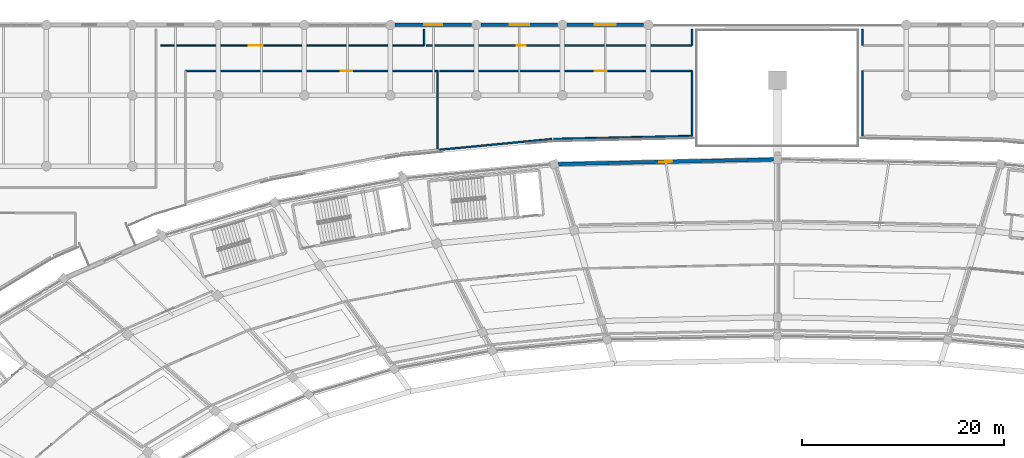
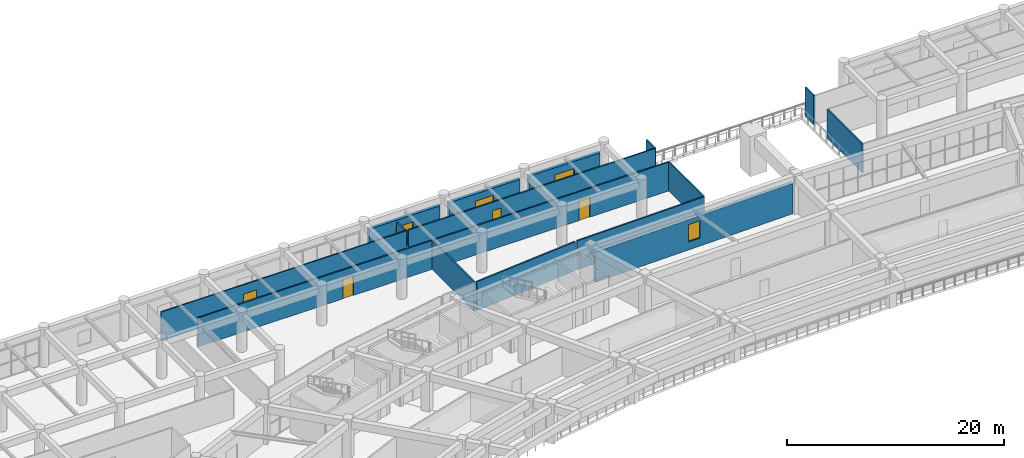
# One storey, part 110 of 145: 16 walls, 4 doors, 4 windows, 8 openings.
"""IFC4 building model written with IfcOpenShell, lengths in metres."""

from ifc_helpers import new_model, si_unit, direction, frame, frame_2d, origin, place, context, subcontext, project, spatial, rectangle, extrude, material, layer, layer_set, type_object, element, fill, save


model = new_model("IFC4")

# Units and contexts
model_context = context("Model", 3, precision=1e-05, world=origin(), true_north=direction((0.0, 1.0)))
body_context = subcontext(model_context, "Body", "Model", "MODEL_VIEW")
ifc_project = project(units=[si_unit("LENGTHUNIT", "METRE"), si_unit("AREAUNIT", "SQUARE_METRE"), si_unit("VOLUMEUNIT", "CUBIC_METRE"), si_unit("PLANEANGLEUNIT", "RADIAN"), si_unit("MASSUNIT", "GRAM", prefix="KILO")], contexts=[model_context])

# Site, building, storey
site_placement = place(None, origin())
site = spatial("IfcSite", under=ifc_project, at=site_placement, CompositionType="ELEMENT")
building_placement = place(site_placement, origin())
building = spatial("IfcBuilding", under=site, at=building_placement, Name="Mphavela Belvedere Stadium", CompositionType="ELEMENT")
storey_placement = place(building_placement, frame((0.0, 0.0, 10.199951171875)))
storey = spatial("IfcBuildingStorey", under=building, at=storey_placement, Name="L02", CompositionType="ELEMENT", Elevation=10.199951171875)

# Wall, opening, window
ifc_material_1 = material(Name="Honed ashlar limestone masonry", Category="masonry")
ifc_layer_1 = layer(ifc_material_1, 0.35009765625)
ifc_layer_set_1 = layer_set([ifc_layer_1], Name="Honed ashlar limestone masonry")
wall_type_1 = type_object("IfcWallType", Name="WAL-EXT-ASHLAR-350", PredefinedType="STANDARD", material=ifc_layer_set_1)
wall_1_placement = place(storey_placement, frame((114.60205078125, 160.661376953125, 0.0), z_axis=(0.0, 0.0, 1.0), x_axis=(-0.999768320606, -0.021524523519, 0.0)))
wall_1 = element("IfcWall", 1, at=wall_1_placement, inside=storey, type_object=wall_type_1, Name="Classical ashlar facade wall L02-13", PredefinedType="STANDARD", context=body_context, shape_type="SweptSolid", body=[
    extrude(rectangle(XDim=21.32373046875, YDim=0.35009765625, at=frame_2d((10.661865234375, 0.0))), origin(), (0.0, 0.0, 1.0), 3.420166015625),
])
opening_1_placement = place(wall_1_placement, frame((10.0419921875, 0.0, 0.89990234375)))
opening_1 = element("IfcOpeningElement", 2, at=opening_1_placement, cuts=wall_1, Name="Opening W-024", PredefinedType="OPENING", context=body_context, shape_type="SweptSolid", body=[
    extrude(rectangle(XDim=1.239990234375, YDim=1.949951171875, at=frame_2d((0.6201171875, 0.97509765625))), frame((0.0, 0.18505859375, 0.0), z_axis=(0.0, -1.0, 0.0), x_axis=(1.0, 0.0, 0.0)), (0.0, 0.0, 1.0), 0.3701171875),
])
ifc_material_2 = material(Name="Bronze-anodised thermally broken aluminium window", Category="aluminium")
window_type_1 = type_object("IfcWindowType", Name="WIN-EXT-24", PartitioningType="SINGLE_PANEL", PredefinedType="WINDOW", material=ifc_material_2)
window_1_placement = place(opening_1_placement, origin())
window_1 = element("IfcWindow", 3, at=window_1_placement, inside=storey, type_object=window_type_1, Name="Belvedere gallery window W-024", OverallHeight=1.949951171875, OverallWidth=1.239990234375, PartitioningType="SINGLE_PANEL", PredefinedType="WINDOW", context=body_context, shape_type="SweptSolid", body=[
    extrude(rectangle(XDim=1.239990234375, YDim=1.949951171875, at=frame_2d((0.6201171875, 0.97509765625))), frame((0.0, 0.030029296875, 0.0), z_axis=(0.0, -1.0, 0.0), x_axis=(1.0, 0.0, 0.0)), (0.0, 0.0, 1.0), 0.06005859375),
])
fill(opening_1, window_1)

wall_2_placement = place(storey_placement, frame((77.139892578125, 174.0, 0.0), z_axis=(0.0, 0.0, 1.0), x_axis=(1.0, 0.0, 0.0)))
wall_2 = element("IfcWall", 4, at=wall_2_placement, inside=storey, type_object=wall_type_1, Name="North Mast and Ceremonial End Forecourt outer facade bay L02-10", PredefinedType="STANDARD", context=body_context, shape_type="SweptSolid", body=[
    extrude(rectangle(XDim=7.572021484375, YDim=0.35009765625, at=frame_2d((3.7861328125, 0.0))), origin(), (0.0, 0.0, 1.0), 3.260009765625),
])
opening_2_placement = place(wall_2_placement, frame((2.885986328125, 0.0, 0.89990234375)))
opening_2 = element("IfcOpeningElement", 5, at=opening_2_placement, cuts=wall_2, Name="Opening W-182", PredefinedType="OPENING", context=body_context, shape_type="SweptSolid", body=[
    extrude(rectangle(XDim=1.800048828125, YDim=1.550048828125, at=frame_2d((0.89990234375, 0.77490234375))), frame((0.0, 0.18505859375, 0.0), z_axis=(0.0, -1.0, 0.0), x_axis=(1.0, 0.0, 0.0)), (0.0, 0.0, 1.0), 0.3701171875),
])
ifc_material_3 = material(Name="Bronze-anodised thermally broken aluminium window", Category="aluminium")
window_type_2 = type_object("IfcWindowType", Name="WIN-EXT-06", PartitioningType="SINGLE_PANEL", PredefinedType="WINDOW", material=ifc_material_3)
window_2_placement = place(opening_2_placement, origin())
window_2 = element("IfcWindow", 6, at=window_2_placement, inside=storey, type_object=window_type_2, Name="North Mast and Ceremonial End Forecourt classical window W-182", OverallHeight=1.550048828125, OverallWidth=1.800048828125, PartitioningType="SINGLE_PANEL", PredefinedType="WINDOW", context=body_context, shape_type="SweptSolid", body=[
    extrude(rectangle(XDim=1.800048828125, YDim=1.550048828125, at=frame_2d((0.89990234375, 0.77490234375))), frame((0.0, 0.030029296875, 0.0), z_axis=(0.0, -1.0, 0.0), x_axis=(1.0, 0.0, 0.0)), (0.0, 0.0, 1.0), 0.06005859375),
])
fill(opening_2, window_2)

wall_3_placement = place(storey_placement, frame((85.657958984375, 174.0, 0.0), z_axis=(0.0, 0.0, 1.0), x_axis=(1.0, 0.0, 0.0)))
wall_3 = element("IfcWall", 7, at=wall_3_placement, inside=storey, type_object=wall_type_1, Name="North Mast and Ceremonial End Forecourt outer facade bay L02-11", PredefinedType="STANDARD", context=body_context, shape_type="SweptSolid", body=[
    extrude(rectangle(XDim=7.572998046875, YDim=0.35009765625, at=frame_2d((3.78662109375, 0.0))), origin(), (0.0, 0.0, 1.0), 3.260009765625),
])
opening_3_placement = place(wall_3_placement, frame((2.81640625, 0.0, 0.89990234375)))
opening_3 = element("IfcOpeningElement", 8, at=opening_3_placement, cuts=wall_3, Name="Opening W-183", PredefinedType="OPENING", context=body_context, shape_type="SweptSolid", body=[
    extrude(rectangle(XDim=1.93994140625, YDim=1.550048828125, at=frame_2d((0.969970703125, 0.77490234375))), frame((0.0, 0.18505859375, 0.0), z_axis=(0.0, -1.0, 0.0), x_axis=(1.0, 0.0, 0.0)), (0.0, 0.0, 1.0), 0.3701171875),
])
ifc_material_4 = material(Name="Bronze-anodised thermally broken aluminium window", Category="aluminium")
window_type_3 = type_object("IfcWindowType", Name="WIN-EXT-07", PartitioningType="SINGLE_PANEL", PredefinedType="WINDOW", material=ifc_material_4)
window_3_placement = place(opening_3_placement, origin())
window_3 = element("IfcWindow", 9, at=window_3_placement, inside=storey, type_object=window_type_3, Name="North Mast and Ceremonial End Forecourt classical window W-183", OverallHeight=1.550048828125, OverallWidth=1.93994140625, PartitioningType="SINGLE_PANEL", PredefinedType="WINDOW", context=body_context, shape_type="SweptSolid", body=[
    extrude(rectangle(XDim=1.93994140625, YDim=1.550048828125, at=frame_2d((0.969970703125, 0.77490234375))), frame((0.0, 0.030029296875, 0.0), z_axis=(0.0, -1.0, 0.0), x_axis=(1.0, 0.0, 0.0)), (0.0, 0.0, 1.0), 0.06005859375),
])
fill(opening_3, window_3)

wall_4_placement = place(storey_placement, frame((94.177001953125, 174.0, 0.0), z_axis=(0.0, 0.0, 1.0), x_axis=(1.0, 0.0, 0.0)))
wall_4 = element("IfcWall", 10, at=wall_4_placement, inside=storey, type_object=wall_type_1, Name="North Mast and Ceremonial End Forecourt outer facade bay L02-12", PredefinedType="STANDARD", context=body_context, shape_type="SweptSolid", body=[
    extrude(rectangle(XDim=7.572021484375, YDim=0.35009765625, at=frame_2d((3.7861328125, 0.0))), origin(), (0.0, 0.0, 1.0), 3.260009765625),
])
opening_4_placement = place(wall_4_placement, frame((2.74609375, 0.0, 0.89990234375)))
opening_4 = element("IfcOpeningElement", 11, at=opening_4_placement, cuts=wall_4, Name="Opening W-184", PredefinedType="OPENING", context=body_context, shape_type="SweptSolid", body=[
    extrude(rectangle(XDim=2.080078125, YDim=1.550048828125, at=frame_2d((1.0400390625, 0.77490234375))), frame((0.0, 0.18505859375, 0.0), z_axis=(0.0, -1.0, 0.0), x_axis=(1.0, 0.0, 0.0)), (0.0, 0.0, 1.0), 0.3701171875),
])
ifc_material_5 = material(Name="Bronze-anodised thermally broken aluminium window", Category="aluminium")
window_type_4 = type_object("IfcWindowType", Name="WIN-EXT-08", PartitioningType="SINGLE_PANEL", PredefinedType="WINDOW", material=ifc_material_5)
window_4_placement = place(opening_4_placement, origin())
window_4 = element("IfcWindow", 12, at=window_4_placement, inside=storey, type_object=window_type_4, Name="North Mast and Ceremonial End Forecourt classical window W-184", OverallHeight=1.550048828125, OverallWidth=2.080078125, PartitioningType="SINGLE_PANEL", PredefinedType="WINDOW", context=body_context, shape_type="SweptSolid", body=[
    extrude(rectangle(XDim=2.080078125, YDim=1.550048828125, at=frame_2d((1.0400390625, 0.77490234375))), frame((0.0, 0.030029296875, 0.0), z_axis=(0.0, -1.0, 0.0), x_axis=(1.0, 0.0, 0.0)), (0.0, 0.0, 1.0), 0.06005859375),
])
fill(opening_4, window_4)

# Wall, opening, door
ifc_material_6 = material(Name="Moisture-resistant sanitary partition assembly")
ifc_layer_2 = layer(ifc_material_6, 0.125)
ifc_layer_set_2 = layer_set([ifc_layer_2], Name="Moisture-resistant sanitary partition assembly")
wall_type_2 = type_object("IfcWallType", Name="WAL-PART-125", PredefinedType="PARTITIONING", material=ifc_layer_set_2)
wall_5_placement = place(storey_placement, frame((80.0, 171.9599609375, 0.0), z_axis=(0.0, 0.0, 1.0), x_axis=(-1.0, 0.0, 0.0)))
wall_5 = element("IfcWall", 13, at=wall_5_placement, inside=storey, type_object=wall_type_2, Name="Room L02-176 corridor partition", PredefinedType="PARTITIONING", context=body_context, shape_type="SweptSolid", body=[
    extrude(rectangle(XDim=26.10009765625, YDim=0.125, at=frame_2d((13.050048828125, 0.0))), origin(), (0.0, 0.0, 1.0), 3.25),
])
opening_5_placement = place(wall_5_placement, frame((15.958984375, 0.0, 0.0)))
opening_5 = element("IfcOpeningElement", 14, at=opening_5_placement, cuts=wall_5, Name="Opening ID-456", PredefinedType="OPENING", context=body_context, shape_type="SweptSolid", body=[
    extrude(rectangle(XDim=1.39990234375, YDim=2.199951171875, at=frame_2d((0.699951171875, 1.10009765625))), frame((0.0, 0.072509765625, 0.0), z_axis=(0.0, -1.0, 0.0), x_axis=(1.0, 0.0, 0.0)), (0.0, 0.0, 1.0), 0.14501953125),
])
ifc_material_7 = material(Name="Hardwood acoustic timber doorset", Category="wood")
door_type_1 = type_object("IfcDoorType", Name="DR-INT-24", OperationType="NOTDEFINED", PredefinedType="DOOR", material=ifc_material_7)
door_1_placement = place(opening_5_placement, origin())
door_1 = element("IfcDoor", 15, at=door_1_placement, inside=storey, type_object=door_type_1, Name="Room L02-176 entrance door ID-456", OperationType="SINGLE_SWING_RIGHT", OverallHeight=2.199951171875, OverallWidth=1.39990234375, PredefinedType="DOOR", context=body_context, shape_type="SweptSolid", body=[
    extrude(rectangle(XDim=1.39990234375, YDim=2.199951171875, at=frame_2d((0.699951171875, 1.10009765625))), frame((0.0, 0.02490234375, 0.0), z_axis=(0.0, -1.0, 0.0), x_axis=(1.0, 0.0, 0.0)), (0.0, 0.0, 1.0), 0.050048828125),
])
fill(opening_5, door_1)

ifc_material_8 = material(Name="Acoustic gypsum stud partition assembly")
ifc_layer_3 = layer(ifc_material_8, 0.14990234375)
ifc_layer_set_3 = layer_set([ifc_layer_3], Name="Acoustic gypsum stud partition assembly")
wall_type_3 = type_object("IfcWallType", Name="WAL-PART-150", PredefinedType="PARTITIONING", material=ifc_layer_set_3)
wall_6_placement = place(storey_placement, frame((106.5, 171.9599609375, 0.0), z_axis=(0.0, 0.0, 1.0), x_axis=(-1.0, 0.0, 0.0)))
wall_6 = element("IfcWall", 16, at=wall_6_placement, inside=storey, type_object=wall_type_3, Name="Room L02-177 corridor partition", PredefinedType="PARTITIONING", context=body_context, shape_type="SweptSolid", body=[
    extrude(rectangle(XDim=26.300048828125, YDim=0.14990234375, at=frame_2d((13.14990234375, 0.0))), origin(), (0.0, 0.0, 1.0), 3.25),
])
opening_6_placement = place(wall_6_placement, frame((16.4140625, 0.0, 0.0)))
opening_6 = element("IfcOpeningElement", 17, at=opening_6_placement, cuts=wall_6, Name="Opening ID-457", PredefinedType="OPENING", context=body_context, shape_type="SweptSolid", body=[
    extrude(rectangle(XDim=0.89990234375, YDim=2.300048828125, at=frame_2d((0.449951171875, 1.14990234375))), frame((0.0, 0.0849609375, 0.0), z_axis=(0.0, -1.0, 0.0), x_axis=(1.0, 0.0, 0.0)), (0.0, 0.0, 1.0), 0.169921875),
])
ifc_material_9 = material(Name="Hardwood acoustic timber doorset", Category="wood")
door_type_2 = type_object("IfcDoorType", Name="DR-INT-25", OperationType="NOTDEFINED", PredefinedType="DOOR", material=ifc_material_9)
door_2_placement = place(opening_6_placement, origin())
door_2 = element("IfcDoor", 18, at=door_2_placement, inside=storey, type_object=door_type_2, Name="Room L02-177 entrance door ID-457", OperationType="SINGLE_SWING_LEFT", OverallHeight=2.300048828125, OverallWidth=0.89990234375, PredefinedType="DOOR", context=body_context, shape_type="SweptSolid", body=[
    extrude(rectangle(XDim=0.89990234375, YDim=2.300048828125, at=frame_2d((0.449951171875, 1.14990234375))), frame((0.0, 0.02490234375, 0.0), z_axis=(0.0, -1.0, 0.0), x_axis=(1.0, 0.0, 0.0)), (0.0, 0.0, 1.0), 0.050048828125),
])
fill(opening_6, door_2)

wall_7_placement = place(storey_placement, frame((56.360107421875, 169.43994140625, 0.0), z_axis=(0.0, 0.0, 1.0), x_axis=(1.0, 0.0, 0.0)))
wall_7 = element("IfcWall", 19, at=wall_7_placement, inside=storey, type_object=wall_type_3, Name="Room L02-183 corridor partition", PredefinedType="PARTITIONING", context=body_context, shape_type="SweptSolid", body=[
    extrude(rectangle(XDim=24.994873046875, YDim=0.14990234375, at=frame_2d((12.49755859375, 0.0))), origin(), (0.0, 0.0, 1.0), 3.25),
])
opening_7_placement = place(wall_7_placement, frame((15.409912109375, 0.0, 0.0)))
opening_7 = element("IfcOpeningElement", 20, at=opening_7_placement, cuts=wall_7, Name="Opening ID-463", PredefinedType="OPENING", context=body_context, shape_type="SweptSolid", body=[
    extrude(rectangle(XDim=1.139892578125, YDim=2.300048828125, at=frame_2d((0.56982421875, 1.14990234375))), frame((0.0, 0.0849609375, 0.0), z_axis=(0.0, -1.0, 0.0), x_axis=(1.0, 0.0, 0.0)), (0.0, 0.0, 1.0), 0.169921875),
])
ifc_material_10 = material(Name="Hardwood acoustic timber doorset", Category="wood")
door_type_3 = type_object("IfcDoorType", Name="DR-INT-31", OperationType="NOTDEFINED", PredefinedType="DOOR", material=ifc_material_10)
door_3_placement = place(opening_7_placement, origin())
door_3 = element("IfcDoor", 21, at=door_3_placement, inside=storey, type_object=door_type_3, Name="Room L02-183 entrance door ID-463", OperationType="SINGLE_SWING_LEFT", OverallHeight=2.300048828125, OverallWidth=1.139892578125, PredefinedType="DOOR", context=body_context, shape_type="SweptSolid", body=[
    extrude(rectangle(XDim=1.139892578125, YDim=2.300048828125, at=frame_2d((0.56982421875, 1.14990234375))), frame((0.0, 0.02490234375, 0.0), z_axis=(0.0, -1.0, 0.0), x_axis=(1.0, 0.0, 0.0)), (0.0, 0.0, 1.0), 0.050048828125),
])
fill(opening_7, door_3)

wall_8_placement = place(storey_placement, frame((81.554931640625, 169.43994140625, 0.0), z_axis=(0.0, 0.0, 1.0), x_axis=(1.0, 0.0, 0.0)))
wall_8 = element("IfcWall", 22, at=wall_8_placement, inside=storey, type_object=wall_type_3, Name="Room L02-184 corridor partition", PredefinedType="PARTITIONING", context=body_context, shape_type="SweptSolid", body=[
    extrude(rectangle(XDim=24.945068359375, YDim=0.14990234375, at=frame_2d((12.47265625, 0.0))), origin(), (0.0, 0.0, 1.0), 3.25),
])
opening_8_placement = place(wall_8_placement, frame((15.351318359375, 0.0, 0.0)))
opening_8 = element("IfcOpeningElement", 23, at=opening_8_placement, cuts=wall_8, Name="Opening ID-464", PredefinedType="OPENING", context=body_context, shape_type="SweptSolid", body=[
    extrude(rectangle(XDim=1.179931640625, YDim=2.300048828125, at=frame_2d((0.58984375, 1.14990234375))), frame((0.0, 0.0849609375, 0.0), z_axis=(0.0, -1.0, 0.0), x_axis=(1.0, 0.0, 0.0)), (0.0, 0.0, 1.0), 0.169921875),
])
ifc_material_11 = material(Name="Hardwood acoustic timber doorset", Category="wood")
door_type_4 = type_object("IfcDoorType", Name="DR-INT-32", OperationType="NOTDEFINED", PredefinedType="DOOR", material=ifc_material_11)
door_4_placement = place(opening_8_placement, origin())
door_4 = element("IfcDoor", 24, at=door_4_placement, inside=storey, type_object=door_type_4, Name="Room L02-184 entrance door ID-464", OperationType="SINGLE_SWING_RIGHT", OverallHeight=2.300048828125, OverallWidth=1.179931640625, PredefinedType="DOOR", context=body_context, shape_type="SweptSolid", body=[
    extrude(rectangle(XDim=1.179931640625, YDim=2.300048828125, at=frame_2d((0.58984375, 1.14990234375))), frame((0.0, 0.02490234375, 0.0), z_axis=(0.0, -1.0, 0.0), x_axis=(1.0, 0.0, 0.0)), (0.0, 0.0, 1.0), 0.050048828125),
])
fill(opening_8, door_4)

# Walls
wall_9_placement = place(storey_placement, frame((80.0, 173.550048828125, 0.0), z_axis=(0.0, 0.0, 1.0), x_axis=(0.0, -1.0, 0.0)))
element("IfcWall", 25, at=wall_9_placement, inside=storey, type_object=wall_type_3, Name="Room divider partition L02-1003", PredefinedType="PARTITIONING", context=body_context, shape_type="SweptSolid", body=[
    extrude(rectangle(XDim=1.590087890625, YDim=0.14990234375, at=frame_2d((0.794921875, 0.0))), origin(), (0.0, 0.0, 1.0), 3.25),
])
wall_10_placement = place(storey_placement, frame((106.550048828125, 173.550048828125, 0.0), z_axis=(0.0, 0.0, 1.0), x_axis=(-0.002293221305, -0.999997370565, 0.0)))
element("IfcWall", 26, at=wall_10_placement, inside=storey, type_object=wall_type_3, Name="Room divider partition L02-1004", PredefinedType="PARTITIONING", context=body_context, shape_type="SweptSolid", body=[
    extrude(rectangle(XDim=1.596923828125, YDim=0.14990234375, at=frame_2d((0.79833984375, 0.0))), origin(), (0.0, 0.0, 1.0), 3.25),
])
wall_11_placement = place(storey_placement, frame((123.449951171875, 171.951904296875, 0.0), z_axis=(0.0, 0.0, 1.0), x_axis=(0.0, 1.0, 0.0)))
element("IfcWall", 27, at=wall_11_placement, inside=storey, type_object=wall_type_3, Name="Room divider partition L02-1005", PredefinedType="PARTITIONING", context=body_context, shape_type="SweptSolid", body=[
    extrude(rectangle(XDim=1.59814453125, YDim=0.14990234375, at=frame_2d((0.799072265625, 0.0))), origin(), (0.0, 0.0, 1.0), 3.25),
])
wall_12_placement = place(storey_placement, frame((81.35498046875, 169.43994140625, 0.0), z_axis=(0.0, 0.0, 1.0), x_axis=(0.0, -1.0, 0.0)))
element("IfcWall", 28, at=wall_12_placement, inside=storey, type_object=wall_type_3, Name="Room divider partition L02-1023", PredefinedType="PARTITIONING", context=body_context, shape_type="SweptSolid", body=[
    extrude(rectangle(XDim=7.834228515625, YDim=0.14990234375, at=frame_2d((3.9169921875, 0.0))), origin(), (0.0, 0.0, 1.0), 3.25),
])
wall_13_placement = place(storey_placement, frame((92.648193359375, 162.6826171875, 0.0), z_axis=(0.0, 0.0, 1.0), x_axis=(-0.995483944756, -0.094930057059, 0.0)))
element("IfcWall", 29, at=wall_13_placement, inside=storey, type_object=wall_type_3, Name="Room divider partition L02-1025", PredefinedType="PARTITIONING", context=body_context, shape_type="SweptSolid", body=[
    extrude(rectangle(XDim=11.1435546875, YDim=0.14990234375, at=frame_2d((5.57177734375, 0.0))), origin(), (0.0, 0.0, 1.0), 3.25),
])
wall_14_placement = place(storey_placement, frame((106.550048828125, 169.4482421875, 0.0), z_axis=(0.0, 0.0, 1.0), x_axis=(0.0, -1.0, 0.0)))
element("IfcWall", 30, at=wall_14_placement, inside=storey, type_object=wall_type_3, Name="Room divider partition L02-1026", PredefinedType="PARTITIONING", context=body_context, shape_type="SweptSolid", body=[
    extrude(rectangle(XDim=6.459716796875, YDim=0.14990234375, at=frame_2d((3.22998046875, 0.0))), origin(), (0.0, 0.0, 1.0), 3.25),
])
wall_15_placement = place(storey_placement, frame((106.550048828125, 162.988525390625, 0.0), z_axis=(0.0, 0.0, 1.0), x_axis=(-0.999768230535, -0.021528706714, 0.0)))
element("IfcWall", 31, at=wall_15_placement, inside=storey, type_object=wall_type_3, Name="Room divider partition L02-1027", PredefinedType="PARTITIONING", context=body_context, shape_type="SweptSolid", body=[
    extrude(rectangle(XDim=13.7216796875, YDim=0.14990234375, at=frame_2d((6.86083984375, 0.0))), origin(), (0.0, 0.0, 1.0), 3.25),
])
wall_16_placement = place(storey_placement, frame((123.449951171875, 162.988525390625, 0.0), z_axis=(0.0, 0.0, 1.0), x_axis=(0.0, 1.0, 0.0)))
element("IfcWall", 32, at=wall_16_placement, inside=storey, type_object=wall_type_3, Name="Room divider partition L02-1029", PredefinedType="PARTITIONING", context=body_context, shape_type="SweptSolid", body=[
    extrude(rectangle(XDim=6.459716796875, YDim=0.14990234375, at=frame_2d((3.22998046875, 0.0))), origin(), (0.0, 0.0, 1.0), 3.25),
])

save(model, "model.ifc")
